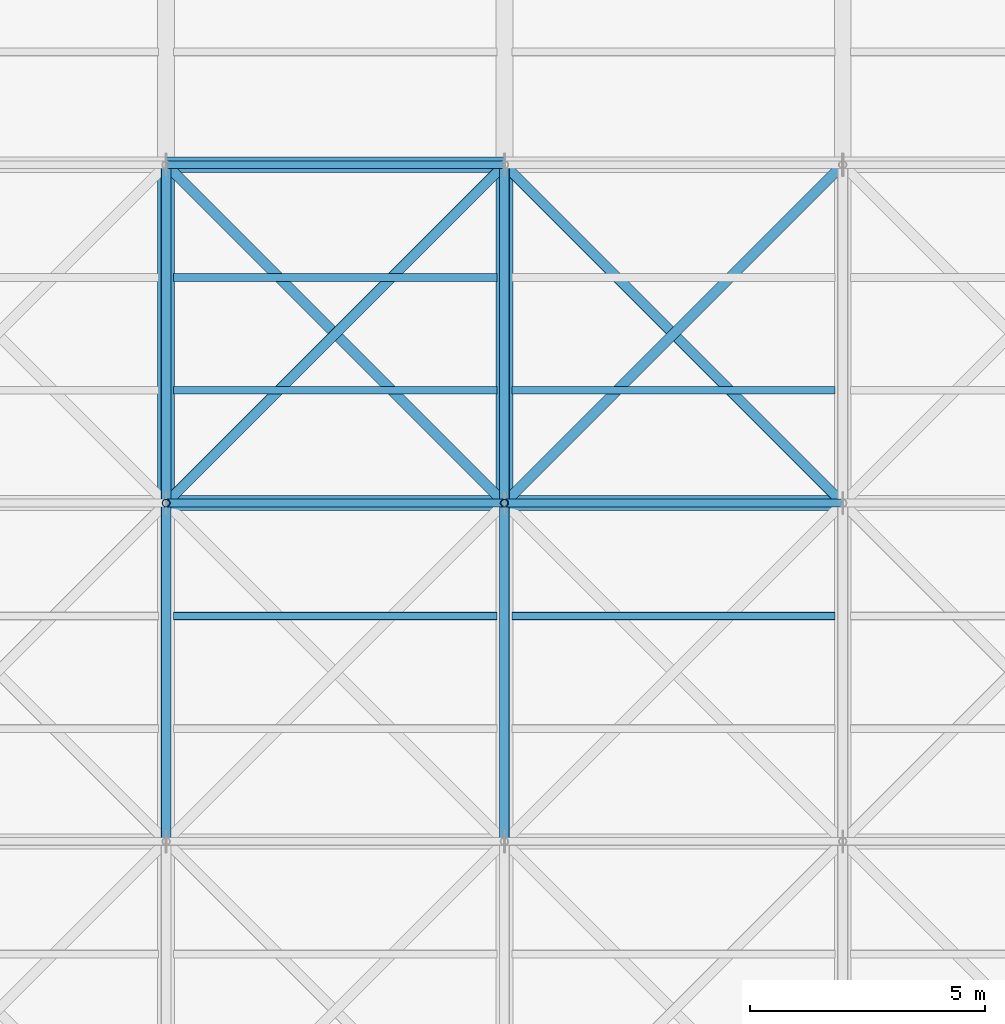
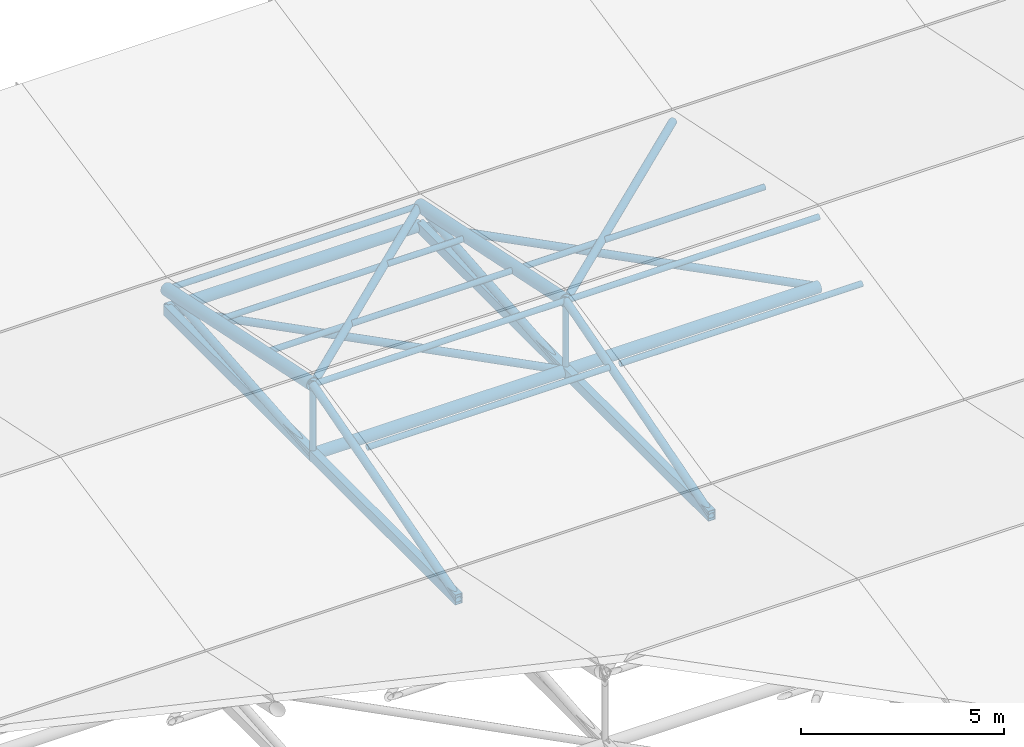
# One storey, part 33 of 72: 21 members, 6 beams.
"""IFC4 building model written with IfcOpenShell, lengths in metres."""

from ifc_helpers import new_model, si_unit, direction, frame, origin, origin_2d, place, context, subcontext, project, spatial, hollow_rectangle, hollow_circle, extrude, material, material_profile, profile_set, type_object, element, save


model = new_model("IFC4")

# Units and contexts
model_context = context("Model", 3, precision=1e-05, world=origin(), true_north=direction((0.0, 1.0)))
body_context = subcontext(model_context, "Body", "Model", "MODEL_VIEW")
ifc_project = project(units=[si_unit("LENGTHUNIT", "METRE"), si_unit("AREAUNIT", "SQUARE_METRE"), si_unit("VOLUMEUNIT", "CUBIC_METRE"), si_unit("PLANEANGLEUNIT", "RADIAN"), si_unit("MASSUNIT", "GRAM", prefix="KILO")], contexts=[model_context])

# Site, building, storey
site_placement = place(None, origin())
site = spatial("IfcSite", under=ifc_project, at=site_placement, CompositionType="ELEMENT")
building_placement = place(site_placement, origin())
building = spatial("IfcBuilding", under=site, at=building_placement, Name="Vaelcorin Mobility Hub", CompositionType="ELEMENT")
storey_placement = place(building_placement, frame((0.0, 0.0, 25.800048828125)))
storey = spatial("IfcBuildingStorey", under=building, at=storey_placement, Name="RF", CompositionType="ELEMENT", Elevation=25.800048828125)

# Members
ifc_material = material(Name="Steel ASTM A500 Grade C", Category="steel")
ifc_material_profile_1 = material_profile(ifc_material, hollow_circle(Radius=0.161865234375, WallThickness=0.0126953125, at=origin_2d()), Name="HSS12.750X0.500")
ifc_profile_set_1 = profile_set([ifc_material_profile_1], Name="Steel ASTM A500 Grade C")
member_type_1 = type_object("IfcMemberType", Name="SF-CHORD-12", PredefinedType="CHORD", material=ifc_profile_set_1)
for number, where, z_axis, x_axis, name in (
    (1, (72.0, 105.60009765625, -2.10009765625), (1.0, 0.0, 0.0), (0.0, 1.0, 0.0), "Sports Truss Lower Tie Strut 6-3"),
    (2, (72.0, 112.800048828125, -2.10009765625), (1.0, 0.0, 0.0), (0.0, 1.0, 0.0), "Sports Truss Lower Tie Strut 6-4"),
    (3, (79.199951171875, 105.60009765625, -2.10009765625), (1.0, 0.0, 0.0), (0.0, 1.0, 0.0), "Sports Truss Lower Tie Strut 7-3"),
):
    element("IfcMember", number, at=place(storey_placement, frame(where, z_axis=z_axis, x_axis=x_axis)), inside=storey, type_object=member_type_1, Name=name, PredefinedType="CHORD", context=body_context, shape_type="SweptSolid", body=[
        extrude(hollow_circle(Radius=0.161865234375, WallThickness=0.0126953125, at=origin_2d()), origin(), (0.0, 0.0, 1.0), 7.199951171875),
    ])
ifc_material_profile_2 = material_profile(ifc_material, hollow_circle(Radius=0.109619140625, WallThickness=0.009521484375, at=origin_2d()), Name="HSS8.625X0.375")
ifc_profile_set_2 = profile_set([ifc_material_profile_2], Name="Steel ASTM A500 Grade C")
member_type_2 = type_object("IfcMemberType", Name="SF-DIAG-8", PredefinedType="BRACE", material=ifc_profile_set_2)
member_1_placement = place(storey_placement, frame((72.0, 105.60009765625, 0.0), z_axis=(0.699556744026, 0.699556744026, -0.145741976715), x_axis=(-0.707106781187, 0.707106781187, 0.0)))
element("IfcMember", 4, at=member_1_placement, inside=storey, type_object=member_type_2, Name="Sports Roof Space-Truss Plan Brace 6-4", PredefinedType="BRACE", context=body_context, shape_type="SweptSolid", body=[
    extrude(hollow_circle(Radius=0.109619140625, WallThickness=0.009521484375, at=origin_2d()), origin(), (0.0, 0.0, 1.0), 10.292236328125),
])
member_2_placement = place(storey_placement, frame((79.199951171875, 105.60009765625, -2.10009765625), z_axis=(-0.707106781187, 0.707106781187, 0.0), x_axis=(-0.707106781187, -0.707106781187, 0.0)))
element("IfcMember", 5, at=member_2_placement, inside=storey, type_object=member_type_2, Name="Sports Truss Lower Plan Brace 6-4", PredefinedType="BRACE", context=body_context, shape_type="SweptSolid", body=[
    extrude(hollow_circle(Radius=0.109619140625, WallThickness=0.009521484375, at=origin_2d()), origin(), (0.0, 0.0, 1.0), 10.182373046875),
])
member_3_placement = place(storey_placement, frame((79.199951171875, 105.60009765625, 0.0), z_axis=(0.699556744026, 0.699556744026, -0.145741976715), x_axis=(-0.707106781187, 0.707106781187, 0.0)))
element("IfcMember", 6, at=member_3_placement, inside=storey, type_object=member_type_2, Name="Sports Roof Space-Truss Plan Brace 7-4", PredefinedType="BRACE", context=body_context, shape_type="SweptSolid", body=[
    extrude(hollow_circle(Radius=0.109619140625, WallThickness=0.009521484375, at=origin_2d()), origin(), (0.0, 0.0, 1.0), 10.292236328125),
])
member_4_placement = place(storey_placement, frame((86.39990234375, 105.60009765625, -2.10009765625), z_axis=(-0.707106781187, 0.707106781187, 0.0), x_axis=(-0.707106781187, -0.707106781187, 0.0)))
element("IfcMember", 7, at=member_4_placement, inside=storey, type_object=member_type_2, Name="Sports Truss Lower Plan Brace 7-4", PredefinedType="BRACE", context=body_context, shape_type="SweptSolid", body=[
    extrude(hollow_circle(Radius=0.109619140625, WallThickness=0.009521484375, at=origin_2d()), origin(), (0.0, 0.0, 1.0), 10.182373046875),
])
ifc_material_profile_3 = material_profile(ifc_material, hollow_circle(Radius=0.084228515625, WallThickness=0.0078125, at=origin_2d()), Name="HSS6.625X0.312")
ifc_profile_set_3 = profile_set([ifc_material_profile_3], Name="Steel ASTM A500 Grade C")
member_type_3 = type_object("IfcMemberType", Name="SF-PURL-6", PredefinedType="PURLIN", material=ifc_profile_set_3)
for number, where, z_axis, x_axis, name in (
    (8, (72.0, 105.60009765625, 0.0), (1.0, 0.0, 0.0), (0.0, 1.0, 0.0), "Sports Pavilion Roof Purlin 6-3"),
    (9, (72.0, 112.800048828125, -1.5), (1.0, 0.0, 0.0), (0.0, 1.0, 0.0), "Sports Pavilion Roof Purlin 6-4"),
):
    element("IfcMember", number, at=place(storey_placement, frame(where, z_axis=z_axis, x_axis=x_axis)), inside=storey, type_object=member_type_3, Name=name, PredefinedType="PURLIN", context=body_context, shape_type="SweptSolid", body=[
        extrude(hollow_circle(Radius=0.084228515625, WallThickness=0.0078125, at=origin_2d()), origin(), (0.0, 0.0, 1.0), 7.199951171875),
    ])
for number, where, z_axis, x_axis, name in (
    (10, (72.159912109375, 103.199951171875, -0.5), (1.0, 0.0, 0.0), (0.0, 1.0, 0.0), "Sports Roof Secondary Purlin 6-3-2"),
    (11, (72.159912109375, 108.0, -0.5), (1.0, 0.0, 0.0), (0.0, 1.0, 0.0), "Sports Roof Secondary Purlin 6-4-1"),
    (12, (72.159912109375, 110.39990234375, -1.0), (1.0, 0.0, 0.0), (0.0, 1.0, 0.0), "Sports Roof Secondary Purlin 6-4-2"),
):
    element("IfcMember", number, at=place(storey_placement, frame(where, z_axis=z_axis, x_axis=x_axis)), inside=storey, type_object=member_type_3, Name=name, PredefinedType="PURLIN", context=body_context, shape_type="SweptSolid", body=[
        extrude(hollow_circle(Radius=0.084228515625, WallThickness=0.0078125, at=origin_2d()), origin(), (0.0, 0.0, 1.0), 6.880126953125),
    ])
member_5_placement = place(storey_placement, frame((79.199951171875, 105.60009765625, 0.0), z_axis=(1.0, 0.0, 0.0), x_axis=(0.0, 1.0, 0.0)))
element("IfcMember", 13, at=member_5_placement, inside=storey, type_object=member_type_3, Name="Sports Pavilion Roof Purlin 7-3", PredefinedType="PURLIN", context=body_context, shape_type="SweptSolid", body=[
    extrude(hollow_circle(Radius=0.084228515625, WallThickness=0.0078125, at=origin_2d()), origin(), (0.0, 0.0, 1.0), 7.199951171875),
])
for number, where, z_axis, x_axis, name in (
    (14, (79.360107421875, 103.199951171875, -0.5), (1.0, 0.0, 0.0), (0.0, 1.0, 0.0), "Sports Roof Secondary Purlin 7-3-2"),
    (15, (79.360107421875, 108.0, -0.5), (1.0, 0.0, 0.0), (0.0, 1.0, 0.0), "Sports Roof Secondary Purlin 7-4-1"),
):
    element("IfcMember", number, at=place(storey_placement, frame(where, z_axis=z_axis, x_axis=x_axis)), inside=storey, type_object=member_type_3, Name=name, PredefinedType="PURLIN", context=body_context, shape_type="SweptSolid", body=[
        extrude(hollow_circle(Radius=0.084228515625, WallThickness=0.0078125, at=origin_2d()), origin(), (0.0, 0.0, 1.0), 6.8798828125),
    ])

# Beams
ifc_material_profile_4 = material_profile(ifc_material, hollow_circle(Radius=0.177734375, WallThickness=0.0126953125, at=origin_2d()), Name="HSS14.000X0.500")
ifc_profile_set_4 = profile_set([ifc_material_profile_4], Name="Steel ASTM A500 Grade C")
beam_type_1 = type_object("IfcBeamType", Name="TR-CHORD-14", PredefinedType="BEAM", material=ifc_profile_set_4)
for number, where, z_axis, x_axis, name in (
    (16, (72.0, 105.60009765625, 0.0), (0.0, 0.978980143565, -0.203955579738), (-1.0, 0.0, 0.0), "Sports Pavilion Roof Truss Upper Chord 5-4"),
    (17, (79.199951171875, 105.60009765625, 0.0), (0.0, 0.978980143565, -0.203955579738), (-1.0, 0.0, 0.0), "Sports Pavilion Roof Truss Upper Chord 6-4"),
):
    element("IfcBeam", number, at=place(storey_placement, frame(where, z_axis=z_axis, x_axis=x_axis)), inside=storey, type_object=beam_type_1, Name=name, PredefinedType="BEAM", context=body_context, shape_type="SweptSolid", body=[
        extrude(hollow_circle(Radius=0.177734375, WallThickness=0.0126953125, at=origin_2d()), origin(), (0.0, 0.0, 1.0), 7.3544921875),
    ])
ifc_material_profile_5 = material_profile(ifc_material, hollow_rectangle(XDim=0.203125, YDim=0.3046875, WallThickness=0.01171875, at=origin_2d()), Name="HSS12X8X0.500")
ifc_profile_set_5 = profile_set([ifc_material_profile_5], Name="Steel ASTM A500 Grade C")
beam_type_2 = type_object("IfcBeamType", Name="TR-CHORD-RHS12", PredefinedType="BEAM", material=ifc_profile_set_5)
beam_1_placement = place(storey_placement, frame((72.0, 98.39990234375, -2.10009765625), z_axis=(0.0, 1.0, 0.0), x_axis=(-1.0, 0.0, 0.0)))
element("IfcBeam", 18, at=beam_1_placement, inside=storey, type_object=beam_type_2, Name="Sports Pavilion Roof Truss Bottom Chord 5-3", PredefinedType="BEAM", context=body_context, shape_type="SweptSolid", body=[
    extrude(hollow_rectangle(XDim=0.203125, YDim=0.3046875, WallThickness=0.01171875, at=origin_2d()), origin(), (0.0, 0.0, 1.0), 7.2001953125),
])
beam_2_placement = place(storey_placement, frame((72.0, 105.60009765625, -2.10009765625), z_axis=(0.0, 1.0, 0.0), x_axis=(-1.0, 0.0, 0.0)))
element("IfcBeam", 19, at=beam_2_placement, inside=storey, type_object=beam_type_2, Name="Sports Pavilion Roof Truss Bottom Chord 5-4", PredefinedType="BEAM", context=body_context, shape_type="SweptSolid", body=[
    extrude(hollow_rectangle(XDim=0.203125, YDim=0.3046875, WallThickness=0.01171875, at=origin_2d()), origin(), (0.0, 0.0, 1.0), 7.199951171875),
])
beam_3_placement = place(storey_placement, frame((79.199951171875, 98.39990234375, -2.10009765625), z_axis=(0.0, 1.0, 0.0), x_axis=(-1.0, 0.0, 0.0)))
element("IfcBeam", 20, at=beam_3_placement, inside=storey, type_object=beam_type_2, Name="Sports Pavilion Roof Truss Bottom Chord 6-3", PredefinedType="BEAM", context=body_context, shape_type="SweptSolid", body=[
    extrude(hollow_rectangle(XDim=0.203125, YDim=0.3046875, WallThickness=0.01171875, at=origin_2d()), origin(), (0.0, 0.0, 1.0), 7.2001953125),
])
beam_4_placement = place(storey_placement, frame((79.199951171875, 105.60009765625, -2.10009765625), z_axis=(0.0, 1.0, 0.0), x_axis=(-1.0, 0.0, 0.0)))
element("IfcBeam", 21, at=beam_4_placement, inside=storey, type_object=beam_type_2, Name="Sports Pavilion Roof Truss Bottom Chord 6-4", PredefinedType="BEAM", context=body_context, shape_type="SweptSolid", body=[
    extrude(hollow_rectangle(XDim=0.203125, YDim=0.3046875, WallThickness=0.01171875, at=origin_2d()), origin(), (0.0, 0.0, 1.0), 7.199951171875),
])

# Members
ifc_material_profile_6 = material_profile(ifc_material, hollow_circle(Radius=0.084228515625, WallThickness=0.0078125, at=origin_2d()), Name="HSS6.625X0.312")
ifc_profile_set_6 = profile_set([ifc_material_profile_6], Name="Steel ASTM A500 Grade C")
member_type_4 = type_object("IfcMemberType", Name="TR-POST-6", PredefinedType="POST", material=ifc_profile_set_6)
for number, where, z_axis, x_axis, name in (
    (22, (72.0, 105.60009765625, -2.10009765625), (0.0, 0.0, 1.0), (1.0, 0.0, 0.0), "Sports Pavilion Roof Truss Post 5-3"),
    (23, (79.199951171875, 105.60009765625, -2.10009765625), (0.0, 0.0, 1.0), (1.0, 0.0, 0.0), "Sports Pavilion Roof Truss Post 6-3"),
):
    element("IfcMember", number, at=place(storey_placement, frame(where, z_axis=z_axis, x_axis=x_axis)), inside=storey, type_object=member_type_4, Name=name, PredefinedType="POST", context=body_context, shape_type="SweptSolid", body=[
        extrude(hollow_circle(Radius=0.084228515625, WallThickness=0.0078125, at=origin_2d()), origin(), (0.0, 0.0, 1.0), 2.10009765625),
    ])
ifc_material_profile_7 = material_profile(ifc_material, hollow_circle(Radius=0.109619140625, WallThickness=0.009521484375, at=origin_2d()), Name="HSS8.625X0.375")
ifc_profile_set_7 = profile_set([ifc_material_profile_7], Name="Steel ASTM A500 Grade C")
member_type_5 = type_object("IfcMemberType", Name="TR-WEB-8", PredefinedType="BRACE", material=ifc_profile_set_7)
member_6_placement = place(storey_placement, frame((72.0, 98.39990234375, -2.10009765625), z_axis=(0.0, 0.959998541695, 0.280004999853), x_axis=(-1.0, 0.0, 0.0)))
element("IfcMember", 24, at=member_6_placement, inside=storey, type_object=member_type_5, Name="Sports Pavilion Roof Truss Diagonal 5-3", PredefinedType="BRACE", context=body_context, shape_type="SweptSolid", body=[
    extrude(hollow_circle(Radius=0.109619140625, WallThickness=0.009521484375, at=origin_2d()), origin(), (0.0, 0.0, 1.0), 7.500244140625),
])
member_7_placement = place(storey_placement, frame((72.0, 105.60009765625, -2.10009765625), z_axis=(0.0, 0.996544592923, 0.083059462528), x_axis=(-1.0, 0.0, 0.0)))
element("IfcMember", 25, at=member_7_placement, inside=storey, type_object=member_type_5, Name="Sports Pavilion Roof Truss Diagonal 5-4", PredefinedType="BRACE", context=body_context, shape_type="SweptSolid", body=[
    extrude(hollow_circle(Radius=0.109619140625, WallThickness=0.009521484375, at=origin_2d()), origin(), (0.0, 0.0, 1.0), 7.224853515625),
])
member_8_placement = place(storey_placement, frame((79.199951171875, 98.39990234375, -2.10009765625), z_axis=(0.0, 0.959998541695, 0.280004999853), x_axis=(-1.0, 0.0, 0.0)))
element("IfcMember", 26, at=member_8_placement, inside=storey, type_object=member_type_5, Name="Sports Pavilion Roof Truss Diagonal 6-3", PredefinedType="BRACE", context=body_context, shape_type="SweptSolid", body=[
    extrude(hollow_circle(Radius=0.109619140625, WallThickness=0.009521484375, at=origin_2d()), origin(), (0.0, 0.0, 1.0), 7.500244140625),
])
member_9_placement = place(storey_placement, frame((79.199951171875, 105.60009765625, -2.10009765625), z_axis=(0.0, 0.996544592923, 0.083059462528), x_axis=(-1.0, 0.0, 0.0)))
element("IfcMember", 27, at=member_9_placement, inside=storey, type_object=member_type_5, Name="Sports Pavilion Roof Truss Diagonal 6-4", PredefinedType="BRACE", context=body_context, shape_type="SweptSolid", body=[
    extrude(hollow_circle(Radius=0.109619140625, WallThickness=0.009521484375, at=origin_2d()), origin(), (0.0, 0.0, 1.0), 7.224853515625),
])

save(model, "model.ifc")
